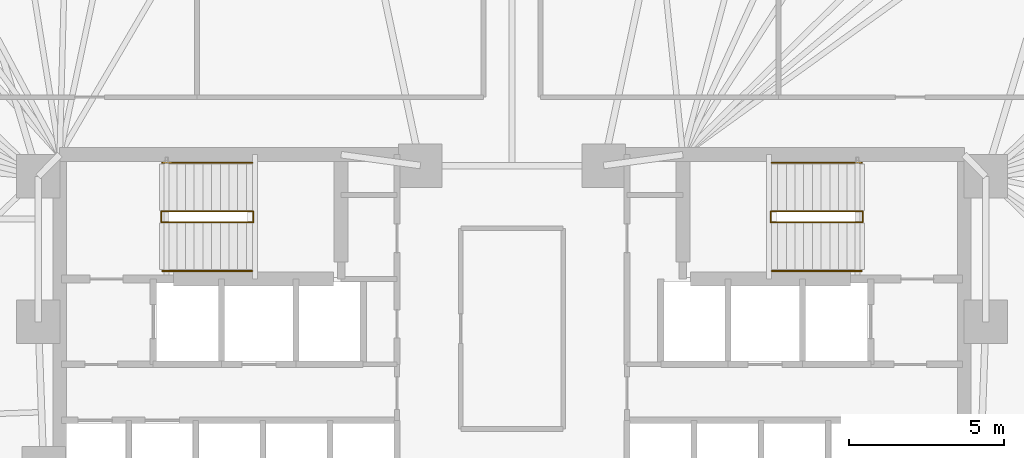
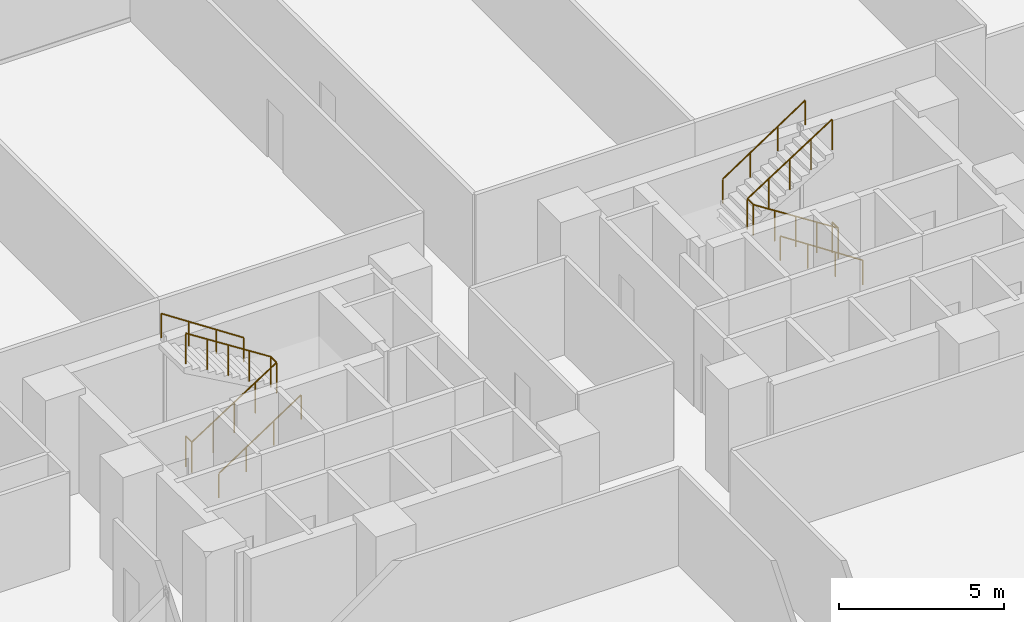
# One storey, part 16 of 16: 6 railings.
"""IFC4 building model written with IfcOpenShell, lengths in metres."""

import ifcopenshell
import ifcopenshell.guid

model = None  # the IFC model being written
_history = None  # IfcOwnerHistory: only IFC2X3 demands one
_inside = {}  # id of a spatial element -> (the spatial element, [elements in it])
_under = {}  # id of a project, library or spatial element -> (it, [spatial elements below it])
_declared = {}  # id of a project -> (the project, [libraries it declares])
_typed = {}  # id of a type object -> (the type object, [elements of that type])
_made_of = {}  # id of a material, layer set ... -> (it, [elements and type objects made of it])


def new_model(schema):
    """Start an empty IFC model of exactly this schema.

    Asked for "IFC4X3", IfcOpenShell would pick the latest addendum, in which some entities
    have other attributes; the version numbers below select the first issue.
    IFC2X3 requires an IfcOwnerHistory on every rooted entity: one is made here for all.
    """
    global model, _history
    if schema == "IFC4X3":
        model = ifcopenshell.file(schema_version=(4, 3, 0, 0))
    else:
        model = ifcopenshell.file(schema=schema)
    _inside.clear()
    _under.clear()
    _declared.clear()
    _typed.clear()
    _made_of.clear()
    _history = None
    if model.schema == "IFC2X3":
        org = make("IfcOrganization", Name="unknown")
        user = make(
            "IfcPersonAndOrganization",
            ThePerson=make("IfcPerson", FamilyName="unknown"),
            TheOrganization=org,
        )
        app = make(
            "IfcApplication",
            ApplicationDeveloper=org,
            Version="unknown",
            ApplicationFullName="unknown",
            ApplicationIdentifier="unknown",
        )
        _history = make(
            "IfcOwnerHistory",
            OwningUser=user,
            OwningApplication=app,
            ChangeAction="ADDED",
            CreationDate=0,
        )
    return model


def make(cls, **values):
    """One entity of the class cls with the attributes given. An attribute that is None is left unset."""
    return model.create_entity(
        cls, **{name: value for name, value in values.items() if value is not None}
    )


def rooted(cls, **values):
    """An entity with a GlobalId (a new one), such as an element, a storey or a relation."""
    return make(cls, GlobalId=ifcopenshell.guid.new(), OwnerHistory=_history, **values)


def si_unit(unit_type, name, prefix=None):
    """IfcSIUnit, for example si_unit("LENGTHUNIT", "METRE", prefix="MILLI")."""
    return make("IfcSIUnit", UnitType=unit_type, Prefix=prefix, Name=name)


def assignment(units):
    """IfcUnitAssignment: the units of a project."""
    return None if units is None else make("IfcUnitAssignment", Units=units)


def point(xyz):
    """IfcCartesianPoint."""
    return None if xyz is None else make("IfcCartesianPoint", Coordinates=xyz)


def direction(xyz):
    """IfcDirection."""
    return None if xyz is None else make("IfcDirection", DirectionRatios=xyz)


def frame(location, z_axis=None, x_axis=None):
    """IfcAxis2Placement3D, a coordinate frame: its origin and axes. An axis left out is left unset."""
    return make(
        "IfcAxis2Placement3D",
        Location=point(location),
        Axis=direction(z_axis),
        RefDirection=direction(x_axis),
    )


def frame_2d(location, x_axis=None):
    """IfcAxis2Placement2D, a coordinate frame in the plane: its origin and x axis."""
    return make(
        "IfcAxis2Placement2D", Location=point(location), RefDirection=direction(x_axis)
    )


def origin():
    """The frame at (0, 0, 0) with its axes left unset."""
    return frame((0.0, 0.0, 0.0))


def origin_2d():
    """The frame at (0, 0) in the plane with its x axis left unset."""
    return frame_2d((0.0, 0.0))


def place(relative_to, where):
    """IfcLocalPlacement: puts the frame where relative to a parent placement (None: the world)."""
    return make(
        "IfcLocalPlacement", PlacementRelTo=relative_to, RelativePlacement=where
    )


def context(
    kind, dimensions, precision=None, world=None, true_north=None, identifier=None
):
    """IfcGeometricRepresentationContext, for example the 3D "Model" context."""
    return make(
        "IfcGeometricRepresentationContext",
        ContextIdentifier=identifier,
        ContextType=kind,
        CoordinateSpaceDimension=dimensions,
        Precision=precision,
        WorldCoordinateSystem=world,
        TrueNorth=true_north,
    )


def subcontext(parent, identifier, kind, view, scale=None):
    """IfcGeometricRepresentationSubContext, for example "Body" below "Model"."""
    return make(
        "IfcGeometricRepresentationSubContext",
        ContextIdentifier=identifier,
        ContextType=kind,
        ParentContext=parent,
        TargetScale=scale,
        TargetView=view,
    )


def project(units=None, contexts=None):
    """IfcProject with its units and contexts."""
    return rooted(
        "IfcProject",
        Name="project",
        RepresentationContexts=contexts,
        UnitsInContext=assignment(units),
    )


def spatial(cls, under=None, at=None, **own):
    """A site, building, storey or space (cls), placed at a placement, below another one or the project."""
    s = rooted(cls, ObjectPlacement=at, **own)
    if under is not None:
        _under.setdefault(under.id(), (under, []))[1].append(s)
    return s


def profile(cls, at=None, kind="AREA", **sizes):
    """A parametric profile (cls). Its sizes go by their IFC names, for example OverallWidth=200.0."""
    return make(cls, ProfileType=kind, Position=at, **sizes)


def circle(**sizes):
    """IfcCircleProfileDef."""
    return profile("IfcCircleProfileDef", **sizes)


def extrude(swept, where, along, depth):
    """IfcExtrudedAreaSolid: the profile swept, set in the frame where, extruded along a direction by depth."""
    return make(
        "IfcExtrudedAreaSolid",
        SweptArea=swept,
        Position=where,
        ExtrudedDirection=direction(along),
        Depth=depth,
    )


def shape(context_of_items, identifier, shape_type, items):
    """IfcShapeRepresentation: the items that make up one representation, for example the "Body"."""
    return make(
        "IfcShapeRepresentation",
        ContextOfItems=context_of_items,
        RepresentationIdentifier=identifier,
        RepresentationType=shape_type,
        Items=items,
    )


def material(Name=None, Category=None):
    """IfcMaterial."""
    return make("IfcMaterial", Name=Name, Category=Category)


def made_of(thing, what):
    """Note that an element or type object is made of a material, layer set ...; save() writes the relation."""
    if what is not None:
        _made_of.setdefault(what.id(), (what, []))[1].append(thing)
    return thing


def type_object(cls, material=None, **own):
    """A type object (cls), such as IfcWallType, which elements share."""
    return made_of(rooted(cls, **own), material)


def element(
    cls,
    number,
    at=None,
    inside=None,
    cuts=None,
    type_object=None,
    material=None,
    context=None,
    identifier="Body",
    shape_type=None,
    held_by="IfcProductDefinitionShape",
    body=None,
    shapes=None,
    **own,
):
    """One element of the class cls, such as IfcWall. Its Tag is "e" and its number.

    at: its placement. inside: the storey or other place that contains it. cuts: it is an
    opening in that element (IfcRelVoidsElement). A single representation is given by context,
    identifier, shape_type and body (its items); several are given by shapes. held_by: the class
    of the entity that holds the representations. save() writes the other relations.
    """
    e = rooted(cls, Tag="e%d" % number, ObjectPlacement=at, **own)
    if body is not None:
        shapes = [shape(context, identifier, shape_type, body)]
    if shapes is not None:
        e.Representation = make(held_by, Representations=shapes)
    if inside is not None:
        _inside.setdefault(inside.id(), (inside, []))[1].append(e)
    if cuts is not None:
        rooted(
            "IfcRelVoidsElement", RelatingBuildingElement=cuts, RelatedOpeningElement=e
        )
    if type_object is not None:
        _typed.setdefault(type_object.id(), (type_object, []))[1].append(e)
    return made_of(e, material)


def aggregate(whole, parts):
    """IfcRelAggregates: a whole, such as a stair, and the parts it consists of."""
    return rooted("IfcRelAggregates", RelatingObject=whole, RelatedObjects=parts)


def save(model, path):
    """Write the relations noted so far, then the file.

    IfcRelAggregates (storeys below a building ...), IfcRelContainedInSpatialStructure (elements
    in a storey), IfcRelDefinesByType, IfcRelAssociatesMaterial and IfcRelDeclares: one each for
    every whole, place, type object, material and project.
    """
    for whole, parts in _under.values():
        aggregate(whole, parts)
    for where, things in _inside.values():
        rooted(
            "IfcRelContainedInSpatialStructure",
            RelatedElements=things,
            RelatingStructure=where,
        )
    for kind, things in _typed.values():
        rooted("IfcRelDefinesByType", RelatedObjects=things, RelatingType=kind)
    for what, things in _made_of.values():
        rooted("IfcRelAssociatesMaterial", RelatedObjects=things, RelatingMaterial=what)
    for by, libraries in _declared.values():
        rooted("IfcRelDeclares", RelatingContext=by, RelatedDefinitions=libraries)
    model.write(path)


model = new_model("IFC4")

# Units and contexts
model_context = context("Model", 3, precision=1e-05, world=origin(), true_north=direction((0.0, 1.0)))
body_context = subcontext(model_context, "Body", "Model", "MODEL_VIEW")
ifc_project = project(units=[si_unit("LENGTHUNIT", "METRE"), si_unit("AREAUNIT", "SQUARE_METRE"), si_unit("VOLUMEUNIT", "CUBIC_METRE"), si_unit("PLANEANGLEUNIT", "RADIAN"), si_unit("MASSUNIT", "GRAM", prefix="KILO")], contexts=[model_context])

# Site, building, storey
site_placement = place(None, origin())
site = spatial("IfcSite", under=ifc_project, at=site_placement, CompositionType="ELEMENT")
building_placement = place(site_placement, origin())
building = spatial("IfcBuilding", under=site, at=building_placement, Name="Menara Jurai Vektor", CompositionType="ELEMENT")
storey_placement = place(building_placement, frame((0.0, 0.0, 59.800048828125)))
storey = spatial("IfcBuildingStorey", under=building, at=storey_placement, Name="L14", CompositionType="ELEMENT", Elevation=59.800048828125)

# Railings
ifc_material_1 = material(Name="Painted Galvanised Steel Balustrade", Category="steel")
railing_type_1 = type_object("IfcRailingType", Name="RAIL-STAIR-GUARD", PredefinedType="GUARDRAIL", material=ifc_material_1)
railing_1_placement = place(storey_placement, frame((-11.2900390625, 3.780029296875, 0.0)))
element("IfcRailing", 1, at=railing_1_placement, inside=storey, type_object=railing_type_1, Name="ST1 Stair Guardrail 1 L14", PredefinedType="GUARDRAIL", context=body_context, shape_type="SweptSolid", body=[
    extrude(circle(Radius=0.02392578125, at=origin_2d()), frame((0.0, 0.0, 1.1259765625), z_axis=(0.0, -1.0, 0.0), x_axis=(1.0, 0.0, 0.0)), (0.0, 0.0, 1.0), 0.360107421875),
    extrude(circle(Radius=0.02392578125, at=origin_2d()), frame((0.0, -0.360107421875, 1.1259765625), z_axis=(0.841557155905, 0.0, 0.540168078791), x_axis=(0.0, 1.0, 0.0)), (0.0, 0.0, 1.0), 3.517333984375),
    extrude(circle(Radius=0.02392578125, at=origin_2d()), frame((2.9599609375, -0.360107421875, 3.02587890625), z_axis=(0.0, 1.0, 0.0), x_axis=(-1.0, 0.0, 0.0)), (0.0, 0.0, 1.0), 0.360107421875),
    extrude(circle(Radius=0.02392578125, at=origin_2d()), frame((2.9599609375, 0.0, 3.02587890625), z_axis=(-0.841525601958, 0.0, 0.540217235239), x_axis=(0.0, -1.0, 0.0)), (0.0, 0.0, 1.0), 3.517333984375),
    extrude(circle(Radius=0.02099609375, at=origin_2d()), origin(), (0.0, 0.0, 1.0), 1.101806640625),
    extrude(circle(Radius=0.02099609375, at=origin_2d()), frame((0.0, -0.360107421875, 0.0)), (0.0, 0.0, 1.0), 1.101806640625),
    extrude(circle(Radius=0.02099609375, at=origin_2d()), frame((0.739990234375, -0.360107421875, 0.47509765625)), (0.0, 0.0, 1.0), 1.101806640625),
    extrude(circle(Radius=0.02099609375, at=origin_2d()), frame((1.47998046875, -0.360107421875, 0.949951171875)), (0.0, 0.0, 1.0), 1.101806640625),
    extrude(circle(Radius=0.02099609375, at=origin_2d()), frame((2.219970703125, -0.360107421875, 1.4248046875)), (0.0, 0.0, 1.0), 1.101806640625),
    extrude(circle(Radius=0.02099609375, at=origin_2d()), frame((2.9599609375, -0.360107421875, 1.89990234375)), (0.0, 0.0, 1.0), 1.101806640625),
    extrude(circle(Radius=0.02099609375, at=origin_2d()), frame((2.9599609375, 0.0, 1.89990234375)), (0.0, 0.0, 1.0), 1.101806640625),
    extrude(circle(Radius=0.02099609375, at=origin_2d()), frame((2.219970703125, 0.0, 2.375)), (0.0, 0.0, 1.0), 1.101806640625),
    extrude(circle(Radius=0.02099609375, at=origin_2d()), frame((1.47998046875, 0.0, 2.85009765625)), (0.0, 0.0, 1.0), 1.101806640625),
    extrude(circle(Radius=0.02099609375, at=origin_2d()), frame((0.739990234375, 0.0, 3.324951171875)), (0.0, 0.0, 1.0), 1.101806640625),
    extrude(circle(Radius=0.02099609375, at=origin_2d()), frame((0.0, 0.0, 3.800048828125)), (0.0, 0.0, 1.0), 1.101806640625),
])
railing_2_placement = place(storey_placement, frame((11.2900390625, 3.780029296875, 0.0)))
element("IfcRailing", 2, at=railing_2_placement, inside=storey, type_object=railing_type_1, Name="ST2 Stair Guardrail 1 L14", PredefinedType="GUARDRAIL", context=body_context, shape_type="SweptSolid", body=[
    extrude(circle(Radius=0.02392578125, at=origin_2d()), frame((0.0, 0.0, 1.1259765625), z_axis=(0.0, -1.0, 0.0), x_axis=(1.0, 0.0, 0.0)), (0.0, 0.0, 1.0), 0.360107421875),
    extrude(circle(Radius=0.02392578125, at=origin_2d()), frame((0.0, -0.360107421875, 1.1259765625), z_axis=(-0.841557155905, 0.0, 0.540168078791), x_axis=(0.0, -1.0, 0.0)), (0.0, 0.0, 1.0), 3.517333984375),
    extrude(circle(Radius=0.02392578125, at=origin_2d()), frame((-2.9599609375, -0.360107421875, 3.02587890625), z_axis=(0.0, 1.0, 0.0), x_axis=(-1.0, 0.0, 0.0)), (0.0, 0.0, 1.0), 0.360107421875),
    extrude(circle(Radius=0.02392578125, at=origin_2d()), frame((-2.9599609375, 0.0, 3.02587890625), z_axis=(0.841525601958, 0.0, 0.540217235239), x_axis=(0.0, 1.0, 0.0)), (0.0, 0.0, 1.0), 3.517333984375),
    extrude(circle(Radius=0.02099609375, at=origin_2d()), origin(), (0.0, 0.0, 1.0), 1.101806640625),
    extrude(circle(Radius=0.02099609375, at=origin_2d()), frame((0.0, -0.360107421875, 0.0)), (0.0, 0.0, 1.0), 1.101806640625),
    extrude(circle(Radius=0.02099609375, at=origin_2d()), frame((-0.739990234375, -0.360107421875, 0.47509765625)), (0.0, 0.0, 1.0), 1.101806640625),
    extrude(circle(Radius=0.02099609375, at=origin_2d()), frame((-1.47998046875, -0.360107421875, 0.949951171875)), (0.0, 0.0, 1.0), 1.101806640625),
    extrude(circle(Radius=0.02099609375, at=origin_2d()), frame((-2.219970703125, -0.360107421875, 1.4248046875)), (0.0, 0.0, 1.0), 1.101806640625),
    extrude(circle(Radius=0.02099609375, at=origin_2d()), frame((-2.9599609375, -0.360107421875, 1.89990234375)), (0.0, 0.0, 1.0), 1.101806640625),
    extrude(circle(Radius=0.02099609375, at=origin_2d()), frame((-2.9599609375, 0.0, 1.89990234375)), (0.0, 0.0, 1.0), 1.101806640625),
    extrude(circle(Radius=0.02099609375, at=origin_2d()), frame((-2.219970703125, 0.0, 2.375)), (0.0, 0.0, 1.0), 1.101806640625),
    extrude(circle(Radius=0.02099609375, at=origin_2d()), frame((-1.47998046875, 0.0, 2.85009765625)), (0.0, 0.0, 1.0), 1.101806640625),
    extrude(circle(Radius=0.02099609375, at=origin_2d()), frame((-0.739990234375, 0.0, 3.324951171875)), (0.0, 0.0, 1.0), 1.101806640625),
    extrude(circle(Radius=0.02099609375, at=origin_2d()), frame((0.0, 0.0, 3.800048828125)), (0.0, 0.0, 1.0), 1.101806640625),
])
ifc_material_2 = material(Name="Brushed Stainless Steel Handrail", Category="steel")
railing_type_2 = type_object("IfcRailingType", Name="RAIL-STAIR-HAND", PredefinedType="HANDRAIL", material=ifc_material_2)
railing_3_placement = place(storey_placement, frame((-11.25, 1.860107421875, 0.0)))
element("IfcRailing", 3, at=railing_3_placement, inside=storey, type_object=railing_type_2, Name="ST1 Stair Handrail 1 L14", PredefinedType="HANDRAIL", context=body_context, shape_type="SweptSolid", body=[
    extrude(circle(Radius=0.02392578125, at=origin_2d()), frame((0.0, 0.0, 0.89599609375), z_axis=(0.834718698933, 0.0, 0.550676578085), x_axis=(0.0, 1.0, 0.0)), (0.0, 0.0, 1.0), 3.4501953125),
    extrude(circle(Radius=0.02099609375, at=origin_2d()), origin(), (0.0, 0.0, 1.0), 0.871826171875),
    extrude(circle(Radius=0.02099609375, at=origin_2d()), frame((0.9599609375, 0.0, 0.63330078125)), (0.0, 0.0, 1.0), 0.871826171875),
    extrude(circle(Radius=0.02099609375, at=origin_2d()), frame((1.919921875, 0.0, 1.2666015625)), (0.0, 0.0, 1.0), 0.871826171875),
    extrude(circle(Radius=0.02099609375, at=origin_2d()), frame((2.8798828125, 0.0, 1.89990234375)), (0.0, 0.0, 1.0), 0.871826171875),
])
railing_4_placement = place(storey_placement, frame((-8.3701171875, 5.340087890625, 1.89990234375)))
element("IfcRailing", 4, at=railing_4_placement, inside=storey, type_object=railing_type_2, Name="ST1 Stair Handrail 2 L14", PredefinedType="HANDRAIL", context=body_context, shape_type="SweptSolid", body=[
    extrude(circle(Radius=0.02392578125, at=origin_2d()), frame((0.0, 0.0, 0.89599609375), z_axis=(-0.834686171885, 0.0, 0.550725879602), x_axis=(0.0, -1.0, 0.0)), (0.0, 0.0, 1.0), 3.4501953125),
    extrude(circle(Radius=0.02099609375, at=origin_2d()), origin(), (0.0, 0.0, 1.0), 0.871826171875),
    extrude(circle(Radius=0.02099609375, at=origin_2d()), frame((-0.9599609375, 0.0, 0.63330078125)), (0.0, 0.0, 1.0), 0.871826171875),
    extrude(circle(Radius=0.02099609375, at=origin_2d()), frame((-1.919921875, 0.0, 1.266845703125)), (0.0, 0.0, 1.0), 0.871826171875),
    extrude(circle(Radius=0.02099609375, at=origin_2d()), frame((-2.8798828125, 0.0, 1.900146484375)), (0.0, 0.0, 1.0), 0.871826171875),
])
railing_5_placement = place(storey_placement, frame((11.25, 1.860107421875, 0.0)))
element("IfcRailing", 5, at=railing_5_placement, inside=storey, type_object=railing_type_2, Name="ST2 Stair Handrail 1 L14", PredefinedType="HANDRAIL", context=body_context, shape_type="SweptSolid", body=[
    extrude(circle(Radius=0.02392578125, at=origin_2d()), frame((0.0, 0.0, 0.89599609375), z_axis=(-0.834718698933, 0.0, 0.550676578085), x_axis=(0.0, -1.0, 0.0)), (0.0, 0.0, 1.0), 3.4501953125),
    extrude(circle(Radius=0.02099609375, at=origin_2d()), origin(), (0.0, 0.0, 1.0), 0.871826171875),
    extrude(circle(Radius=0.02099609375, at=origin_2d()), frame((-0.9599609375, 0.0, 0.63330078125)), (0.0, 0.0, 1.0), 0.871826171875),
    extrude(circle(Radius=0.02099609375, at=origin_2d()), frame((-1.919921875, 0.0, 1.2666015625)), (0.0, 0.0, 1.0), 0.871826171875),
    extrude(circle(Radius=0.02099609375, at=origin_2d()), frame((-2.8798828125, 0.0, 1.89990234375)), (0.0, 0.0, 1.0), 0.871826171875),
])
railing_6_placement = place(storey_placement, frame((8.3701171875, 5.340087890625, 1.89990234375)))
element("IfcRailing", 6, at=railing_6_placement, inside=storey, type_object=railing_type_2, Name="ST2 Stair Handrail 2 L14", PredefinedType="HANDRAIL", context=body_context, shape_type="SweptSolid", body=[
    extrude(circle(Radius=0.02392578125, at=origin_2d()), frame((0.0, 0.0, 0.89599609375), z_axis=(0.834686171885, 0.0, 0.550725879602), x_axis=(0.0, 1.0, 0.0)), (0.0, 0.0, 1.0), 3.4501953125),
    extrude(circle(Radius=0.02099609375, at=origin_2d()), origin(), (0.0, 0.0, 1.0), 0.871826171875),
    extrude(circle(Radius=0.02099609375, at=origin_2d()), frame((0.9599609375, 0.0, 0.63330078125)), (0.0, 0.0, 1.0), 0.871826171875),
    extrude(circle(Radius=0.02099609375, at=origin_2d()), frame((1.919921875, 0.0, 1.266845703125)), (0.0, 0.0, 1.0), 0.871826171875),
    extrude(circle(Radius=0.02099609375, at=origin_2d()), frame((2.8798828125, 0.0, 1.900146484375)), (0.0, 0.0, 1.0), 0.871826171875),
])

save(model, "model.ifc")
